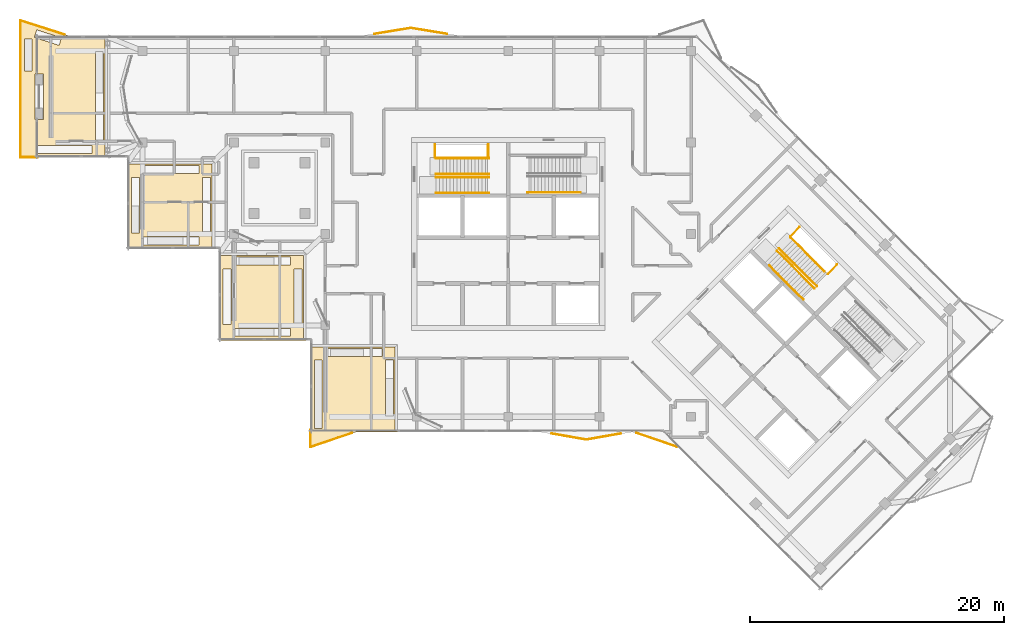
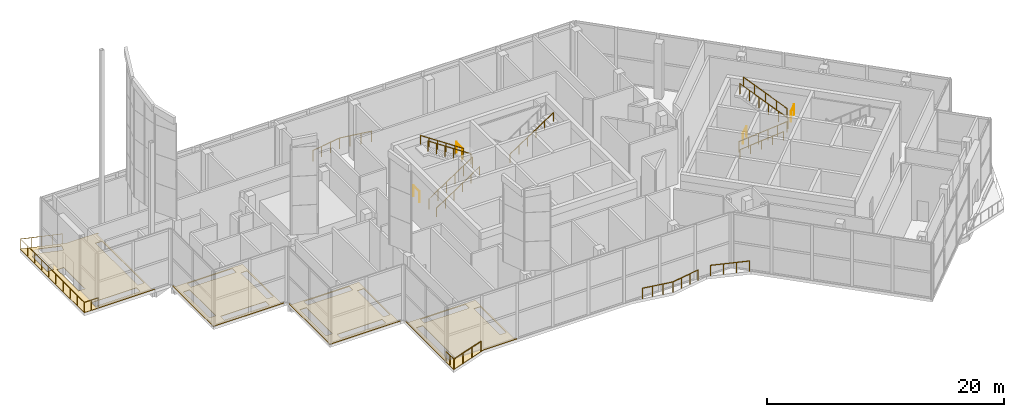
# One storey, part 17 of 19: 18 railings, 4 coverings.
"""IFC4 building model written with IfcOpenShell, lengths in metres."""

from ifc_helpers import new_model, si_unit, direction, frame, origin, origin_2d, place, context, subcontext, project, spatial, polyline, circle, outline, extrude, material, layer, layer_set, type_object, element, save


model = new_model("IFC4")

# Units and contexts
model_context = context("Model", 3, precision=1e-05, world=origin(), true_north=direction((0.0, 1.0)))
body_context = subcontext(model_context, "Body", "Model", "MODEL_VIEW")
ifc_project = project(units=[si_unit("LENGTHUNIT", "METRE"), si_unit("AREAUNIT", "SQUARE_METRE"), si_unit("VOLUMEUNIT", "CUBIC_METRE"), si_unit("PLANEANGLEUNIT", "RADIAN"), si_unit("MASSUNIT", "GRAM", prefix="KILO")], contexts=[model_context])

# Site, building, storey
site_placement = place(None, origin())
site = spatial("IfcSite", under=ifc_project, at=site_placement, CompositionType="ELEMENT")
building_placement = place(site_placement, origin())
building = spatial("IfcBuilding", under=site, at=building_placement, Name="Windrow Commons", CompositionType="ELEMENT")
storey_placement = place(building_placement, frame((0.0, 0.0, 284.6)))
storey = spatial("IfcBuildingStorey", under=building, at=storey_placement, Name="L78", CompositionType="ELEMENT", Elevation=284.6)

# Railings
ifc_material_1 = material(Name="Steel S355", Category="steel")
railing_type_1 = type_object("IfcRailingType", Name="Core stair guard 1100", PredefinedType="GUARDRAIL", material=ifc_material_1)
railing_1_placement = place(storey_placement, frame((59.1, 62.05, 0.1875)))
element("IfcRailing", 1, at=railing_1_placement, inside=storey, type_object=railing_type_1, Name="L78 ST-A1 stair guard 1", PredefinedType="GUARDRAIL", context=body_context, shape_type="SweptSolid", body=[
    extrude(circle(Radius=0.024, at=origin_2d()), frame((0.0, 0.0, 1.076), z_axis=(0.830907177, 0.0, 0.556411056), x_axis=(0.0, 1.0, 0.0)), (0.0, 0.0, 1.0), 5.0547),
    extrude(circle(Radius=0.021, at=origin_2d()), origin(), (0.0, 0.0, 1.0), 1.052),
    extrude(circle(Radius=0.021, at=origin_2d()), frame((0.84, 0.0, 0.5625)), (0.0, 0.0, 1.0), 1.052),
    extrude(circle(Radius=0.021, at=origin_2d()), frame((1.68, 0.0, 1.125)), (0.0, 0.0, 1.0), 1.052),
    extrude(circle(Radius=0.021, at=origin_2d()), frame((2.52, 0.0, 1.6875)), (0.0, 0.0, 1.0), 1.052),
    extrude(circle(Radius=0.021, at=origin_2d()), frame((3.36, 0.0, 2.25)), (0.0, 0.0, 1.0), 1.052),
    extrude(circle(Radius=0.021, at=origin_2d()), frame((4.2, 0.0, 2.8125)), (0.0, 0.0, 1.0), 1.052),
])
railing_2_placement = place(storey_placement, frame((63.3, 62.3, 3.1875)))
element("IfcRailing", 2, at=railing_2_placement, inside=storey, type_object=railing_type_1, Name="L78 ST-A1 stair guard 2", PredefinedType="GUARDRAIL", context=body_context, shape_type="SweptSolid", body=[
    extrude(circle(Radius=0.024, at=origin_2d()), frame((0.0, 0.0, 1.076), z_axis=(-0.830907177, 0.0, 0.556411056), x_axis=(0.0, -1.0, 0.0)), (0.0, 0.0, 1.0), 5.0547),
    extrude(circle(Radius=0.021, at=origin_2d()), origin(), (0.0, 0.0, 1.0), 1.052),
    extrude(circle(Radius=0.021, at=origin_2d()), frame((-0.84, 0.0, 0.5625)), (0.0, 0.0, 1.0), 1.052),
    extrude(circle(Radius=0.021, at=origin_2d()), frame((-1.68, 0.0, 1.125)), (0.0, 0.0, 1.0), 1.052),
    extrude(circle(Radius=0.021, at=origin_2d()), frame((-2.52, 0.0, 1.6875)), (0.0, 0.0, 1.0), 1.052),
    extrude(circle(Radius=0.021, at=origin_2d()), frame((-3.36, 0.0, 2.25)), (0.0, 0.0, 1.0), 1.052),
    extrude(circle(Radius=0.021, at=origin_2d()), frame((-4.2, 0.0, 2.8125)), (0.0, 0.0, 1.0), 1.052),
])
for number, where, name in (
    (3, (59.05, 63.6, 0.0), "L78 ST-A1 stair guard 3"),
    (4, (63.23, 63.6, 3.0), "L78 ST-A1 stair guard 4"),
):
    element("IfcRailing", number, at=place(storey_placement, frame(where)), inside=storey, type_object=railing_type_1, Name=name, PredefinedType="GUARDRAIL", context=body_context, shape_type="SweptSolid", body=[
        extrude(circle(Radius=0.024, at=origin_2d()), frame((0.0, 0.0, 1.076), z_axis=(0.0, 1.0, 0.0), x_axis=(-1.0, 0.0, 0.0)), (0.0, 0.0, 1.0), 1.03),
        extrude(circle(Radius=0.021, at=origin_2d()), origin(), (0.0, 0.0, 1.0), 1.052),
        extrude(circle(Radius=0.021, at=origin_2d()), frame((0.0, 1.03, 0.0)), (0.0, 0.0, 1.0), 1.052),
    ])
railing_3_placement = place(storey_placement, frame((85.9529, 56.2669, 0.1875)))
element("IfcRailing", 5, at=railing_3_placement, inside=storey, type_object=railing_type_1, Name="L78 ST-B1 stair guard 1", PredefinedType="GUARDRAIL", context=body_context, shape_type="SweptSolid", body=[
    extrude(circle(Radius=0.024, at=origin_2d()), frame((0.0, 0.0, 1.076), z_axis=(0.5875303006, -0.5875500841, 0.5564108595), x_axis=(0.7071186858, 0.7070948763, 0.0)), (0.0, 0.0, 1.0), 5.0547),
    extrude(circle(Radius=0.021, at=origin_2d()), origin(), (0.0, 0.0, 1.0), 1.052),
    extrude(circle(Radius=0.021, at=origin_2d()), frame((0.594, -0.594, 0.5625)), (0.0, 0.0, 1.0), 1.052),
    extrude(circle(Radius=0.021, at=origin_2d()), frame((1.1879, -1.188, 1.125)), (0.0, 0.0, 1.0), 1.052),
    extrude(circle(Radius=0.021, at=origin_2d()), frame((1.7819, -1.7819, 1.6875)), (0.0, 0.0, 1.0), 1.052),
    extrude(circle(Radius=0.021, at=origin_2d()), frame((2.3758, -2.3759, 2.25)), (0.0, 0.0, 1.0), 1.052),
    extrude(circle(Radius=0.021, at=origin_2d()), frame((2.9698, -2.9699, 2.8125)), (0.0, 0.0, 1.0), 1.052),
])
railing_4_placement = place(storey_placement, frame((89.0995, 53.4738, 3.1875)))
element("IfcRailing", 6, at=railing_4_placement, inside=storey, type_object=railing_type_1, Name="L78 ST-B1 stair guard 2", PredefinedType="GUARDRAIL", context=body_context, shape_type="SweptSolid", body=[
    extrude(circle(Radius=0.024, at=origin_2d()), frame((0.0, 0.0, 1.076), z_axis=(-0.5875432548, 0.5875432548, 0.5564043921), x_axis=(-0.7071067812, -0.7071067812, 0.0)), (0.0, 0.0, 1.0), 5.0548),
    extrude(circle(Radius=0.021, at=origin_2d()), origin(), (0.0, 0.0, 1.0), 1.052),
    extrude(circle(Radius=0.021, at=origin_2d()), frame((-0.594, 0.594, 0.5625)), (0.0, 0.0, 1.0), 1.052),
    extrude(circle(Radius=0.021, at=origin_2d()), frame((-1.188, 1.188, 1.125)), (0.0, 0.0, 1.0), 1.052),
    extrude(circle(Radius=0.021, at=origin_2d()), frame((-1.7819, 1.7819, 1.6875)), (0.0, 0.0, 1.0), 1.052),
    extrude(circle(Radius=0.021, at=origin_2d()), frame((-2.3759, 2.3759, 2.25)), (0.0, 0.0, 1.0), 1.052),
    extrude(circle(Radius=0.021, at=origin_2d()), frame((-2.9699, 2.9699, 2.8125)), (0.0, 0.0, 1.0), 1.052),
])
railing_5_placement = place(storey_placement, frame((87.0135, 57.3982, 0.0)))
element("IfcRailing", 7, at=railing_5_placement, inside=storey, type_object=railing_type_1, Name="L78 ST-B1 stair guard 3", PredefinedType="GUARDRAIL", context=body_context, shape_type="SweptSolid", body=[
    extrude(circle(Radius=0.024, at=origin_2d()), frame((0.0, 0.0, 1.076), z_axis=(0.7070582378, 0.7071553212, 0.0), x_axis=(-0.7071553212, 0.7070582378, 0.0)), (0.0, 0.0, 1.0), 1.03),
    extrude(circle(Radius=0.021, at=origin_2d()), origin(), (0.0, 0.0, 1.0), 1.052),
    extrude(circle(Radius=0.021, at=origin_2d()), frame((0.7283, 0.7284, 0.0)), (0.0, 0.0, 1.0), 1.052),
])
railing_6_placement = place(storey_placement, frame((89.9692, 54.4425, 3.0)))
element("IfcRailing", 8, at=railing_6_placement, inside=storey, type_object=railing_type_1, Name="L78 ST-B1 stair guard 4", PredefinedType="GUARDRAIL", context=body_context, shape_type="SweptSolid", body=[
    extrude(circle(Radius=0.024, at=origin_2d()), frame((0.0, 0.0, 1.076), z_axis=(0.7071067812, 0.7071067812, 0.0), x_axis=(-0.7071067812, 0.7071067812, 0.0)), (0.0, 0.0, 1.0), 1.0301),
    extrude(circle(Radius=0.021, at=origin_2d()), origin(), (0.0, 0.0, 1.0), 1.052),
    extrude(circle(Radius=0.021, at=origin_2d()), frame((0.7284, 0.7284, 0.0)), (0.0, 0.0, 1.0), 1.052),
])
ifc_material_2 = material(Name="Steel S355", Category="steel")
railing_type_2 = type_object("IfcRailingType", Name="Core stair handrail 900", PredefinedType="HANDRAIL", material=ifc_material_2)
railing_7_placement = place(storey_placement, frame((59.1, 60.8, 0.1875)))
element("IfcRailing", 9, at=railing_7_placement, inside=storey, type_object=railing_type_2, Name="L78 ST-A1 stair handrail 1", PredefinedType="HANDRAIL", context=body_context, shape_type="SweptSolid", body=[
    extrude(circle(Radius=0.024, at=origin_2d()), frame((0.0, 0.0, 0.876), z_axis=(0.830907177, 0.0, 0.556411056), x_axis=(0.0, 1.0, 0.0)), (0.0, 0.0, 1.0), 5.0547),
    extrude(circle(Radius=0.021, at=origin_2d()), origin(), (0.0, 0.0, 1.0), 0.852),
    extrude(circle(Radius=0.021, at=origin_2d()), frame((0.84, 0.0, 0.5625)), (0.0, 0.0, 1.0), 0.852),
    extrude(circle(Radius=0.021, at=origin_2d()), frame((1.68, 0.0, 1.125)), (0.0, 0.0, 1.0), 0.852),
    extrude(circle(Radius=0.021, at=origin_2d()), frame((2.52, 0.0, 1.6875)), (0.0, 0.0, 1.0), 0.852),
    extrude(circle(Radius=0.021, at=origin_2d()), frame((3.36, 0.0, 2.25)), (0.0, 0.0, 1.0), 0.852),
    extrude(circle(Radius=0.021, at=origin_2d()), frame((4.2, 0.0, 2.8125)), (0.0, 0.0, 1.0), 0.852),
])
railing_8_placement = place(storey_placement, frame((63.3, 63.55, 3.1875)))
element("IfcRailing", 10, at=railing_8_placement, inside=storey, type_object=railing_type_2, Name="L78 ST-A1 stair handrail 2", PredefinedType="HANDRAIL", context=body_context, shape_type="SweptSolid", body=[
    extrude(circle(Radius=0.024, at=origin_2d()), frame((0.0, 0.0, 0.876), z_axis=(-0.830907177, 0.0, 0.556411056), x_axis=(0.0, -1.0, 0.0)), (0.0, 0.0, 1.0), 5.0547),
    extrude(circle(Radius=0.021, at=origin_2d()), origin(), (0.0, 0.0, 1.0), 0.852),
    extrude(circle(Radius=0.021, at=origin_2d()), frame((-0.84, 0.0, 0.5625)), (0.0, 0.0, 1.0), 0.852),
    extrude(circle(Radius=0.021, at=origin_2d()), frame((-1.68, 0.0, 1.125)), (0.0, 0.0, 1.0), 0.852),
    extrude(circle(Radius=0.021, at=origin_2d()), frame((-2.52, 0.0, 1.6875)), (0.0, 0.0, 1.0), 0.852),
    extrude(circle(Radius=0.021, at=origin_2d()), frame((-3.36, 0.0, 2.25)), (0.0, 0.0, 1.0), 0.852),
    extrude(circle(Radius=0.021, at=origin_2d()), frame((-4.2, 0.0, 2.8125)), (0.0, 0.0, 1.0), 0.852),
])
railing_9_placement = place(storey_placement, frame((66.3, 60.855, 3.1875)))
element("IfcRailing", 11, at=railing_9_placement, inside=storey, type_object=railing_type_2, Name="L78 ST-A2 stair handrail 2", PredefinedType="HANDRAIL", context=body_context, shape_type="SweptSolid", body=[
    extrude(circle(Radius=0.024, at=origin_2d()), frame((0.0, 0.0, 0.876), z_axis=(0.830907177, 0.0, 0.556411056), x_axis=(0.0, 1.0, 0.0)), (0.0, 0.0, 1.0), 5.0547),
    extrude(circle(Radius=0.021, at=origin_2d()), origin(), (0.0, 0.0, 1.0), 0.852),
    extrude(circle(Radius=0.021, at=origin_2d()), frame((0.84, 0.0, 0.5625)), (0.0, 0.0, 1.0), 0.852),
    extrude(circle(Radius=0.021, at=origin_2d()), frame((1.68, 0.0, 1.125)), (0.0, 0.0, 1.0), 0.852),
    extrude(circle(Radius=0.021, at=origin_2d()), frame((2.52, 0.0, 1.6875)), (0.0, 0.0, 1.0), 0.852),
    extrude(circle(Radius=0.021, at=origin_2d()), frame((3.36, 0.0, 2.25)), (0.0, 0.0, 1.0), 0.852),
    extrude(circle(Radius=0.021, at=origin_2d()), frame((4.2, 0.0, 2.8125)), (0.0, 0.0, 1.0), 0.852),
])
railing_10_placement = place(storey_placement, frame((85.3518, 55.1001, 0.4554)))
element("IfcRailing", 12, at=railing_10_placement, inside=storey, type_object=railing_type_2, Name="L78 ST-B1 stair handrail 1", PredefinedType="HANDRAIL", context=body_context, shape_type="SweptSolid", body=[
    extrude(circle(Radius=0.024, at=origin_2d()), frame((0.0, 0.0, 0.876), z_axis=(0.5875427724, -0.5875427724, 0.5564054108), x_axis=(0.7071067812, 0.7071067812, 0.0)), (0.0, 0.0, 1.0), 4.5733),
    extrude(circle(Radius=0.021, at=origin_2d()), origin(), (0.0, 0.0, 1.0), 0.852),
    extrude(circle(Radius=0.021, at=origin_2d()), frame((0.6717, -0.6717, 0.6362)), (0.0, 0.0, 1.0), 0.852),
    extrude(circle(Radius=0.021, at=origin_2d()), frame((1.3435, -1.3435, 1.2723)), (0.0, 0.0, 1.0), 0.852),
    extrude(circle(Radius=0.021, at=origin_2d()), frame((2.0152, -2.0152, 1.9085)), (0.0, 0.0, 1.0), 0.852),
    extrude(circle(Radius=0.021, at=origin_2d()), frame((2.687, -2.687, 2.5446)), (0.0, 0.0, 1.0), 0.852),
])
railing_11_placement = place(storey_placement, frame((89.7005, 54.6405, 3.4554)))
element("IfcRailing", 13, at=railing_11_placement, inside=storey, type_object=railing_type_2, Name="L78 ST-B1 stair handrail 2", PredefinedType="HANDRAIL", context=body_context, shape_type="SweptSolid", body=[
    extrude(circle(Radius=0.024, at=origin_2d()), frame((0.0, 0.0, 0.876), z_axis=(-0.5875427724, 0.5875427724, 0.5564054108), x_axis=(-0.7071067812, -0.7071067812, 0.0)), (0.0, 0.0, 1.0), 4.5733),
    extrude(circle(Radius=0.021, at=origin_2d()), origin(), (0.0, 0.0, 1.0), 0.852),
    extrude(circle(Radius=0.021, at=origin_2d()), frame((-0.6718, 0.6717, 0.6362)), (0.0, 0.0, 1.0), 0.852),
    extrude(circle(Radius=0.021, at=origin_2d()), frame((-1.3435, 1.3435, 1.2723)), (0.0, 0.0, 1.0), 0.852),
    extrude(circle(Radius=0.021, at=origin_2d()), frame((-2.0153, 2.0152, 1.9085)), (0.0, 0.0, 1.0), 0.852),
    extrude(circle(Radius=0.021, at=origin_2d()), frame((-2.687, 2.687, 2.5446)), (0.0, 0.0, 1.0), 0.852),
])
ifc_material_3 = material(Name="Stainless steel S316 balustrade with toughened glass infill", Category="steel")
railing_type_3 = type_object("IfcRailingType", Name="Terrace guard 1100", PredefinedType="BALUSTRADE", material=ifc_material_3)
railing_12_placement = place(storey_placement, frame((27.76, 63.63, 0.0)))
element("IfcRailing", 14, at=railing_12_placement, inside=storey, type_object=railing_type_3, Name="Edge guard L78 1", PredefinedType="BALUSTRADE", context=body_context, shape_type="SweptSolid", body=[
    extrude(circle(Radius=0.025, at=origin_2d()), frame((0.0, 0.0, 1.075), z_axis=(-1.0, 0.0, 0.0), x_axis=(0.0, -1.0, 0.0)), (0.0, 0.0, 1.0), 1.363),
    extrude(circle(Radius=0.025, at=origin_2d()), frame((-1.363, 0.0, 1.075), z_axis=(0.0, 1.0, 0.0), x_axis=(-1.0, 0.0, 0.0)), (0.0, 0.0, 1.0), 10.7619),
    extrude(circle(Radius=0.025, at=origin_2d()), frame((-1.363, 10.7619, 1.075), z_axis=(0.9522439717, -0.3053382033, 0.0), x_axis=(0.3053382033, 0.9522439717, 0.0)), (0.0, 0.0, 1.0), 3.6379),
    extrude(circle(Radius=0.02, at=origin_2d()), origin(), (0.0, 0.0, 1.0), 1.05),
    extrude(circle(Radius=0.02, at=origin_2d()), frame((-0.6815, 0.0, 0.0)), (0.0, 0.0, 1.0), 1.05),
    extrude(circle(Radius=0.02, at=origin_2d()), frame((-1.363, 0.0, 0.0)), (0.0, 0.0, 1.0), 1.05),
    extrude(circle(Radius=0.02, at=origin_2d()), frame((-1.363, 1.1958, 0.0)), (0.0, 0.0, 1.0), 1.05),
    extrude(circle(Radius=0.02, at=origin_2d()), frame((-1.363, 2.3915, 0.0)), (0.0, 0.0, 1.0), 1.05),
    extrude(circle(Radius=0.02, at=origin_2d()), frame((-1.363, 3.5873, 0.0)), (0.0, 0.0, 1.0), 1.05),
    extrude(circle(Radius=0.02, at=origin_2d()), frame((-1.363, 4.7831, 0.0)), (0.0, 0.0, 1.0), 1.05),
    extrude(circle(Radius=0.02, at=origin_2d()), frame((-1.363, 5.9788, 0.0)), (0.0, 0.0, 1.0), 1.05),
    extrude(circle(Radius=0.02, at=origin_2d()), frame((-1.363, 7.1746, 0.0)), (0.0, 0.0, 1.0), 1.05),
    extrude(circle(Radius=0.02, at=origin_2d()), frame((-1.363, 8.3704, 0.0)), (0.0, 0.0, 1.0), 1.05),
    extrude(circle(Radius=0.02, at=origin_2d()), frame((-1.363, 9.5661, 0.0)), (0.0, 0.0, 1.0), 1.05),
    extrude(circle(Radius=0.02, at=origin_2d()), frame((-1.363, 10.7619, 0.0)), (0.0, 0.0, 1.0), 1.05),
    extrude(circle(Radius=0.02, at=origin_2d()), frame((-0.497, 10.4842, 0.0)), (0.0, 0.0, 1.0), 1.05),
    extrude(circle(Radius=0.02, at=origin_2d()), frame((0.3691, 10.2065, 0.0)), (0.0, 0.0, 1.0), 1.05),
    extrude(circle(Radius=0.02, at=origin_2d()), frame((1.2351, 9.9288, 0.0)), (0.0, 0.0, 1.0), 1.05),
    extrude(circle(Radius=0.02, at=origin_2d()), frame((2.1012, 9.6511, 0.0)), (0.0, 0.0, 1.0), 1.05),
])
railing_13_placement = place(storey_placement, frame((52.5093, 41.9247, 0.0)))
element("IfcRailing", 15, at=railing_13_placement, inside=storey, type_object=railing_type_3, Name="Edge guard L78 2", PredefinedType="BALUSTRADE", context=body_context, shape_type="SweptSolid", body=[
    extrude(circle(Radius=0.025, at=origin_2d()), frame((0.0, 0.0, 1.075), z_axis=(-0.9466989898, -0.3221195782, 0.0), x_axis=(0.3221195782, -0.9466989898, 0.0)), (0.0, 0.0, 1.0), 3.4639),
    extrude(circle(Radius=0.025, at=origin_2d()), frame((-3.2793, -1.1158, 1.075), z_axis=(0.0, 1.0, 0.0), x_axis=(-1.0, 0.0, 0.0)), (0.0, 0.0, 1.0), 1.3511),
    extrude(circle(Radius=0.02, at=origin_2d()), origin(), (0.0, 0.0, 1.0), 1.05),
    extrude(circle(Radius=0.02, at=origin_2d()), frame((-1.0931, -0.3719, 0.0)), (0.0, 0.0, 1.0), 1.05),
    extrude(circle(Radius=0.02, at=origin_2d()), frame((-2.1862, -0.7439, 0.0)), (0.0, 0.0, 1.0), 1.05),
    extrude(circle(Radius=0.02, at=origin_2d()), frame((-3.2793, -1.1158, 0.0)), (0.0, 0.0, 1.0), 1.05),
    extrude(circle(Radius=0.02, at=origin_2d()), frame((-3.2793, -0.4403, 0.0)), (0.0, 0.0, 1.0), 1.05),
    extrude(circle(Radius=0.02, at=origin_2d()), frame((-3.2793, 0.2353, 0.0)), (0.0, 0.0, 1.0), 1.05),
])
railing_14_placement = place(storey_placement, frame((54.2668, 73.3312, 0.0)))
element("IfcRailing", 16, at=railing_14_placement, inside=storey, type_object=railing_type_3, Name="Edge guard L78 3", PredefinedType="BALUSTRADE", context=body_context, shape_type="SweptSolid", body=[
    extrude(circle(Radius=0.025, at=origin_2d()), frame((0.0, 0.0, 1.075), z_axis=(0.9867234088, 0.1624097119, 0.0), x_axis=(-0.1624097119, 0.9867234088, 0.0)), (0.0, 0.0, 1.0), 2.9025),
    extrude(circle(Radius=0.025, at=origin_2d()), frame((2.864, 0.4714, 1.075), z_axis=(0.9867234088, -0.1624097119, 0.0), x_axis=(0.1624097119, 0.9867234088, 0.0)), (0.0, 0.0, 1.0), 2.9025),
    extrude(circle(Radius=0.02, at=origin_2d()), origin(), (0.0, 0.0, 1.0), 1.05),
    extrude(circle(Radius=0.02, at=origin_2d()), frame((0.9547, 0.1571, 0.0)), (0.0, 0.0, 1.0), 1.05),
    extrude(circle(Radius=0.02, at=origin_2d()), frame((1.9093, 0.3143, 0.0)), (0.0, 0.0, 1.0), 1.05),
    extrude(circle(Radius=0.02, at=origin_2d()), frame((2.864, 0.4714, 0.0)), (0.0, 0.0, 1.0), 1.05),
    extrude(circle(Radius=0.02, at=origin_2d()), frame((3.8187, 0.3143, 0.0)), (0.0, 0.0, 1.0), 1.05),
    extrude(circle(Radius=0.02, at=origin_2d()), frame((4.7733, 0.1571, 0.0)), (0.0, 0.0, 1.0), 1.05),
    extrude(circle(Radius=0.02, at=origin_2d()), frame((5.728, 0.0, 0.0)), (0.0, 0.0, 1.0), 1.05),
])
railing_15_placement = place(storey_placement, frame((73.6595, 41.8722, 0.0)))
element("IfcRailing", 17, at=railing_15_placement, inside=storey, type_object=railing_type_3, Name="Edge guard L78 4", PredefinedType="BALUSTRADE", context=body_context, shape_type="SweptSolid", body=[
    extrude(circle(Radius=0.025, at=origin_2d()), frame((0.0, 0.0, 1.075), z_axis=(-0.9850867285, -0.172058529, 0.0), x_axis=(0.172058529, -0.9850867285, 0.0)), (0.0, 0.0, 1.0), 2.7589),
    extrude(circle(Radius=0.025, at=origin_2d()), frame((-2.7178, -0.4747, 1.075), z_axis=(-0.9850867285, 0.172058529, 0.0), x_axis=(-0.172058529, -0.9850867285, 0.0)), (0.0, 0.0, 1.0), 2.7589),
    extrude(circle(Radius=0.02, at=origin_2d()), origin(), (0.0, 0.0, 1.0), 1.05),
    extrude(circle(Radius=0.02, at=origin_2d()), frame((-0.9059, -0.1582, 0.0)), (0.0, 0.0, 1.0), 1.05),
    extrude(circle(Radius=0.02, at=origin_2d()), frame((-1.8119, -0.3165, 0.0)), (0.0, 0.0, 1.0), 1.05),
    extrude(circle(Radius=0.02, at=origin_2d()), frame((-2.7178, -0.4747, 0.0)), (0.0, 0.0, 1.0), 1.05),
    extrude(circle(Radius=0.02, at=origin_2d()), frame((-3.6237, -0.3165, 0.0)), (0.0, 0.0, 1.0), 1.05),
    extrude(circle(Radius=0.02, at=origin_2d()), frame((-4.5297, -0.1582, 0.0)), (0.0, 0.0, 1.0), 1.05),
    extrude(circle(Radius=0.02, at=origin_2d()), frame((-5.4356, 0.0, 0.0)), (0.0, 0.0, 1.0), 1.05),
])
railing_16_placement = place(storey_placement, frame((78.0692, 40.8394, 0.0)))
element("IfcRailing", 18, at=railing_16_placement, inside=storey, type_object=railing_type_3, Name="Edge guard L78 5", PredefinedType="BALUSTRADE", context=body_context, shape_type="SweptSolid", body=[
    extrude(circle(Radius=0.025, at=origin_2d()), frame((0.0, 0.0, 1.075), z_axis=(-0.9466970961, 0.3221251437, 0.0), x_axis=(-0.3221251437, -0.9466970961, 0.0)), (0.0, 0.0, 1.0), 3.3692),
    extrude(circle(Radius=0.02, at=origin_2d()), origin(), (0.0, 0.0, 1.0), 1.05),
    extrude(circle(Radius=0.02, at=origin_2d()), frame((-1.0632, 0.3618, 0.0)), (0.0, 0.0, 1.0), 1.05),
    extrude(circle(Radius=0.02, at=origin_2d()), frame((-2.1264, 0.7235, 0.0)), (0.0, 0.0, 1.0), 1.05),
    extrude(circle(Radius=0.02, at=origin_2d()), frame((-3.1896, 1.0853, 0.0)), (0.0, 0.0, 1.0), 1.05),
])

# Coverings
ifc_material_4 = material(Name="Granite pavers on waterproofing membrane", Category="masonry")
ifc_layer = layer(ifc_material_4, 0.05)
ifc_layer_set = layer_set([ifc_layer], Name="Terrace roofing 50")
covering_type = type_object("IfcCoveringType", Name="Terrace roofing 50", PredefinedType="ROOFING", material=ifc_layer_set)
placement = place(storey_placement, origin())
element("IfcCovering", 19, at=placement, inside=storey, type_object=covering_type, Name="Terrace roofing TR-L78-1", PredefinedType="ROOFING", context=body_context, shape_type="SweptSolid", body=[
    extrude(outline(polyline([(33.267, 63.6), (26.367, 63.6), (26.367, 74.433), (30.2125, 73.2), (33.267, 73.2), (33.267, 73.1), (33.057, 73.1), (33.057, 63.7), (33.267, 63.7), (33.267, 63.6)]), holes=[polyline([(27.617, 63.94), (32.017, 63.94), (32.017, 64.56), (27.617, 64.56), (27.617, 63.94)]), polyline([(28.2, 66.6), (28.2, 70.2), (27.55, 70.2), (27.55, 66.6), (28.2, 66.6)]), polyline([(32.927, 64.85), (32.927, 71.95), (32.307, 71.95), (32.307, 64.85), (32.927, 64.85)]), polyline([(27.327, 72.942), (26.707, 72.942), (26.707, 70.4), (27.327, 70.4), (27.327, 72.942)]), polyline([(29.4448, 72.438), (29.6341, 73.0284), (27.683, 73.654), (27.4937, 73.0636), (29.4448, 72.438)])]), origin(), (0.0, 0.0, 1.0), 0.05),
])
element("IfcCovering", 20, at=placement, inside=storey, type_object=covering_type, Name="Terrace roofing TR-L78-2", PredefinedType="ROOFING", context=body_context, shape_type="SweptSolid", body=[
    extrude(outline(polyline([(41.7, 56.4), (34.8, 56.4), (34.8, 63.3), (34.9, 63.3), (34.9, 63.09), (41.49, 63.09), (41.49, 56.5), (41.7, 56.5), (41.7, 56.4)]), holes=[polyline([(36.05, 56.74), (40.45, 56.74), (40.45, 57.36), (36.05, 57.36), (36.05, 56.74)]), polyline([(35.14, 62.05), (35.14, 57.65), (35.76, 57.65), (35.76, 62.05), (35.14, 62.05)]), polyline([(41.36, 57.65), (41.36, 62.05), (40.74, 62.05), (40.74, 57.65), (41.36, 57.65)]), polyline([(40.45, 62.34), (40.45, 62.96), (36.05, 62.96), (36.05, 62.34), (40.45, 62.34)])]), origin(), (0.0, 0.0, 1.0), 0.05),
])
element("IfcCovering", 21, at=placement, inside=storey, type_object=covering_type, Name="Terrace roofing TR-L78-3", PredefinedType="ROOFING", context=body_context, shape_type="SweptSolid", body=[
    extrude(outline(polyline([(48.9, 49.2), (42.0, 49.2), (42.0, 56.1), (42.1, 56.1), (42.1, 55.89), (48.69, 55.89), (48.69, 49.3), (48.9, 49.3), (48.9, 49.2)]), holes=[polyline([(43.25, 49.54), (47.65, 49.54), (47.65, 50.16), (43.25, 50.16), (43.25, 49.54)]), polyline([(42.34, 54.85), (42.34, 50.45), (42.96, 50.45), (42.96, 54.85), (42.34, 54.85)]), polyline([(48.56, 50.45), (48.56, 54.85), (47.94, 54.85), (47.94, 50.45), (48.56, 50.45)]), polyline([(47.65, 55.76), (43.25, 55.76), (43.25, 55.14), (47.65, 55.14), (47.65, 55.76)])]), origin(), (0.0, 0.0, 1.0), 0.05),
])
element("IfcCovering", 22, at=placement, inside=storey, type_object=covering_type, Name="Terrace roofing TR-L78-4", PredefinedType="ROOFING", context=body_context, shape_type="SweptSolid", body=[
    extrude(outline(polyline([(56.1, 42.0), (52.8236, 42.0), (49.2, 40.767), (49.2, 48.9), (49.3, 48.9), (49.3, 48.69), (55.89, 48.69), (55.89, 42.1), (56.1, 42.1), (56.1, 42.0)]), holes=[polyline([(49.54, 47.65), (49.54, 42.2748), (50.16, 42.2748), (50.16, 47.65), (49.54, 47.65)]), polyline([(55.76, 43.25), (55.76, 47.65), (55.14, 47.65), (55.14, 43.25), (55.76, 43.25)]), polyline([(54.85, 48.56), (50.45, 48.56), (50.45, 47.94), (54.85, 47.94), (54.85, 48.56)])]), origin(), (0.0, 0.0, 1.0), 0.05),
])

save(model, "model.ifc")
